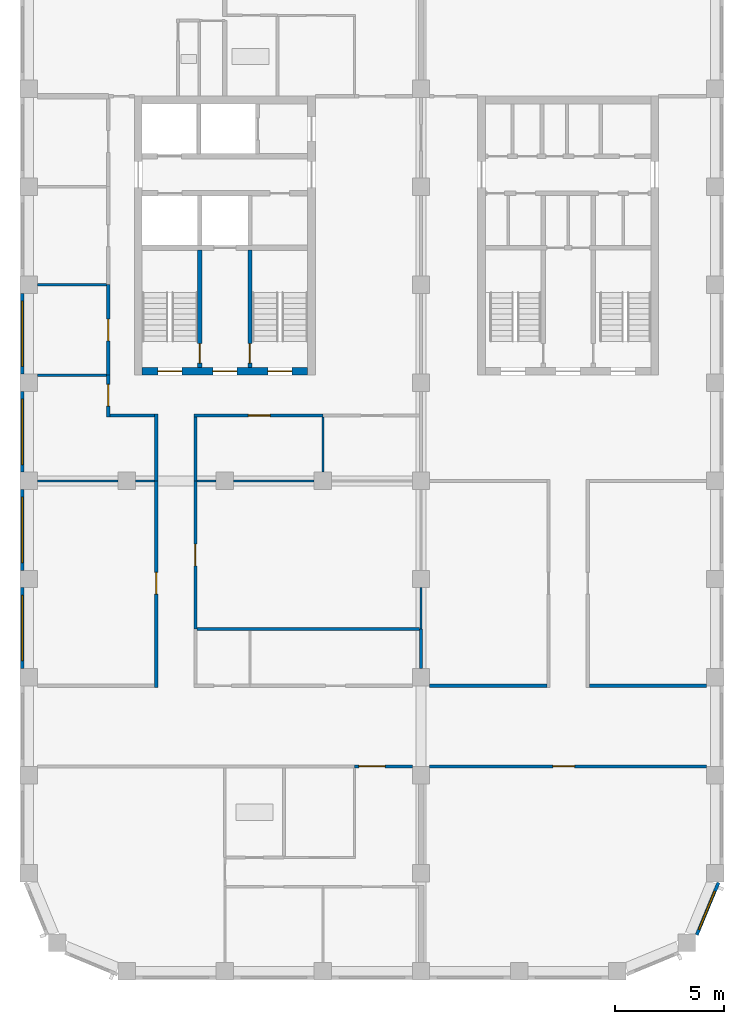
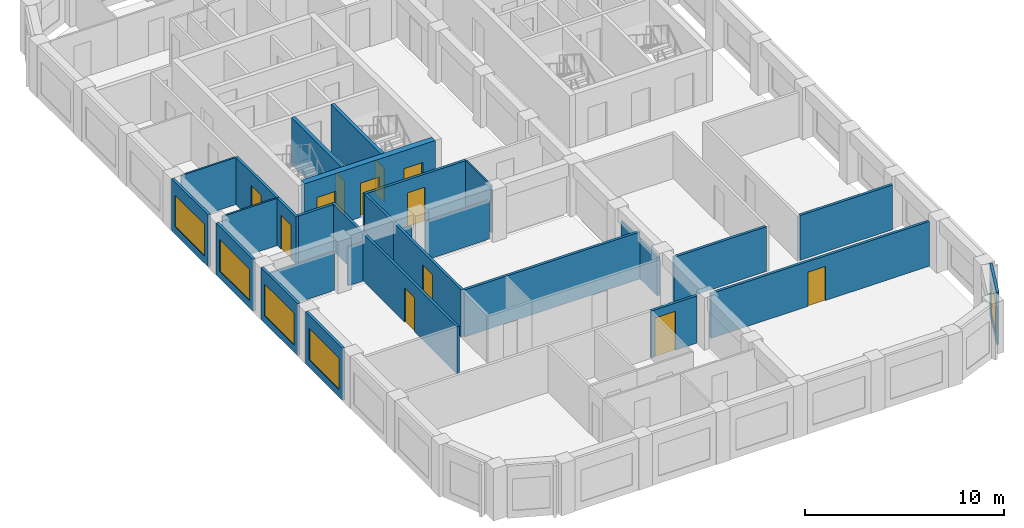
# One storey, part 3 of 9: 30 walls, 12 doors, 5 windows, 17 openings.
"""IFC4 building model written with IfcOpenShell, lengths in metres."""

from ifc_helpers import new_model, si_unit, direction, frame, frame_2d, origin, place, context, subcontext, project, spatial, rectangle, extrude, material, layer, layer_set, type_object, element, fill, save


model = new_model("IFC4")

# Units and contexts
model_context = context("Model", 3, precision=1e-05, world=origin(), true_north=direction((0.0, 1.0)))
body_context = subcontext(model_context, "Body", "Model", "MODEL_VIEW")
ifc_project = project(units=[si_unit("LENGTHUNIT", "METRE"), si_unit("AREAUNIT", "SQUARE_METRE"), si_unit("VOLUMEUNIT", "CUBIC_METRE"), si_unit("PLANEANGLEUNIT", "RADIAN"), si_unit("MASSUNIT", "GRAM", prefix="KILO")], contexts=[model_context])

# Site, building, storey
site_placement = place(None, origin())
site = spatial("IfcSite", under=ifc_project, at=site_placement, CompositionType="ELEMENT")
building_placement = place(site_placement, origin())
building = spatial("IfcBuilding", under=site, at=building_placement, Name="Girih Gate Residences", CompositionType="ELEMENT")
storey_placement = place(building_placement, frame((0.0, 0.0, 222.89501953125)))
storey = spatial("IfcBuildingStorey", under=building, at=storey_placement, Name="L62", CompositionType="ELEMENT", Elevation=222.89501953125)

# Wall, opening, door
ifc_material_1 = material(Name="Gypsum board on steel studs", Category="steel")
ifc_layer_1 = layer(ifc_material_1, 0.14990234375)
ifc_layer_set_1 = layer_set([ifc_layer_1], Name="Compartment wall 150 mm")
wall_type_1 = type_object("IfcWallType", Name="Compartment wall 150 mm", PredefinedType="PARTITIONING", material=ifc_layer_set_1)
wall_1_placement = place(storey_placement, frame((17.60009765625, 9.39990234375, 0.0), z_axis=(0.0, 0.0, 1.0), x_axis=(-1.0, 0.0, 0.0)))
wall_1 = element("IfcWall", 1, at=wall_1_placement, inside=storey, type_object=wall_type_1, Name="L62 partition", PredefinedType="PARTITIONING", context=body_context, shape_type="SweptSolid", body=[
    extrude(rectangle(XDim=2.650146484375, YDim=0.14990234375, at=frame_2d((1.3251953125, 0.0))), origin(), (0.0, 0.0, 1.0), 2.89990234375),
])
opening_1_placement = place(wall_1_placement, frame((1.25, 0.0, 0.0)))
opening_1 = element("IfcOpeningElement", 2, at=opening_1_placement, cuts=wall_1, Name="Opening A62-006", PredefinedType="OPENING", context=body_context, shape_type="SweptSolid", body=[
    extrude(rectangle(XDim=1.199951171875, YDim=2.39990234375, at=frame_2d((0.60009765625, 1.199951171875))), frame((0.0, 0.0849609375, 0.0), z_axis=(0.0, -1.0, 0.0), x_axis=(1.0, 0.0, 0.0)), (0.0, 0.0, 1.0), 0.169921875),
])
ifc_material_2 = material(Name="Timber, fire-rated core", Category="wood")
door_type_1 = type_object("IfcDoorType", Name="Villa entrance door 1200x2400 FD30S", OperationType="NOTDEFINED", PredefinedType="DOOR", material=ifc_material_2)
door_1_placement = place(opening_1_placement, origin())
door_1 = element("IfcDoor", 3, at=door_1_placement, inside=storey, type_object=door_type_1, Name="Door A62-006", OperationType="SINGLE_SWING_RIGHT", OverallHeight=2.39990234375, OverallWidth=1.199951171875, PredefinedType="DOOR", context=body_context, shape_type="SweptSolid", body=[
    extrude(rectangle(XDim=1.199951171875, YDim=2.39990234375, at=frame_2d((0.60009765625, 1.199951171875))), frame((0.0, 0.02490234375, 0.0), z_axis=(0.0, -1.0, 0.0), x_axis=(1.0, 0.0, 0.0)), (0.0, 0.0, 1.0), 0.050048828125),
])
fill(opening_1, door_1)

wall_2_placement = place(storey_placement, frame((7.64990234375, 22.5, 0.0), z_axis=(0.0, 0.0, 1.0), x_axis=(0.0, -1.0, 0.0)))
wall_2 = element("IfcWall", 4, at=wall_2_placement, inside=storey, type_object=wall_type_1, Name="L62 partition", PredefinedType="PARTITIONING", context=body_context, shape_type="SweptSolid", body=[
    extrude(rectangle(XDim=6.800048828125, YDim=0.14990234375, at=frame_2d((3.39990234375, 0.0))), origin(), (0.0, 0.0, 1.0), 2.89990234375),
])
opening_2_placement = place(wall_2_placement, frame((2.89990234375, 0.0, 0.0)))
opening_2 = element("IfcOpeningElement", 5, at=opening_2_placement, cuts=wall_2, Name="Opening A62-017", PredefinedType="OPENING", context=body_context, shape_type="SweptSolid", body=[
    extrude(rectangle(XDim=1.0, YDim=2.10009765625, at=frame_2d((0.5, 1.050048828125))), frame((0.0, 0.0849609375, 0.0), z_axis=(0.0, -1.0, 0.0), x_axis=(1.0, 0.0, 0.0)), (0.0, 0.0, 1.0), 0.169921875),
])
door_type_2 = type_object("IfcDoorType", Name="Amenity room door 1000x2100 FD30S", OperationType="NOTDEFINED", PredefinedType="DOOR", material=ifc_material_2)
door_2_placement = place(opening_2_placement, origin())
door_2 = element("IfcDoor", 6, at=door_2_placement, inside=storey, type_object=door_type_2, Name="Door A62-017", OperationType="SINGLE_SWING_LEFT", OverallHeight=2.10009765625, OverallWidth=1.0, PredefinedType="DOOR", context=body_context, shape_type="SweptSolid", body=[
    extrude(rectangle(XDim=1.0, YDim=2.10009765625, at=frame_2d((0.5, 1.050048828125))), frame((0.0, 0.02490234375, 0.0), z_axis=(0.0, -1.0, 0.0), x_axis=(1.0, 0.0, 0.0)), (0.0, 0.0, 1.0), 0.050048828125),
])
fill(opening_2, door_2)

# Wall
wall_3_placement = place(storey_placement, frame((7.72509765625, 15.699951171875, 0.0), z_axis=(0.0, 0.0, 1.0), x_axis=(1.0, 0.0, 0.0)))
element("IfcWall", 7, at=wall_3_placement, inside=storey, type_object=wall_type_1, Name="L62 partition", PredefinedType="PARTITIONING", context=body_context, shape_type="SweptSolid", body=[
    extrude(rectangle(XDim=10.199951171875, YDim=0.14990234375, at=frame_2d((5.10009765625, 0.0))), origin(), (0.0, 0.0, 1.0), 2.89990234375),
])

# Wall, opening, door
wall_4_placement = place(storey_placement, frame((31.10009765625, 9.39990234375, 0.0), z_axis=(0.0, 0.0, 1.0), x_axis=(-1.0, 0.0, 0.0)))
wall_4 = element("IfcWall", 8, at=wall_4_placement, inside=storey, type_object=wall_type_1, Name="L62 partition", PredefinedType="PARTITIONING", context=body_context, shape_type="SweptSolid", body=[
    extrude(rectangle(XDim=12.7001953125, YDim=0.14990234375, at=frame_2d((6.35009765625, 0.0))), origin(), (0.0, 0.0, 1.0), 2.75),
])
opening_3_placement = place(wall_4_placement, frame((6.050048828125, 0.0, 0.0)))
opening_3 = element("IfcOpeningElement", 9, at=opening_3_placement, cuts=wall_4, Name="Opening A62-020", PredefinedType="OPENING", context=body_context, shape_type="SweptSolid", body=[
    extrude(rectangle(XDim=1.0, YDim=2.10009765625, at=frame_2d((0.5, 1.050048828125))), frame((0.0, 0.0849609375, 0.0), z_axis=(0.0, -1.0, 0.0), x_axis=(1.0, 0.0, 0.0)), (0.0, 0.0, 1.0), 0.169921875),
])
door_3_placement = place(opening_3_placement, origin())
door_3 = element("IfcDoor", 10, at=door_3_placement, inside=storey, type_object=door_type_2, Name="Door A62-020", OperationType="SINGLE_SWING_RIGHT", OverallHeight=2.10009765625, OverallWidth=1.0, PredefinedType="DOOR", context=body_context, shape_type="SweptSolid", body=[
    extrude(rectangle(XDim=1.0, YDim=2.10009765625, at=frame_2d((0.5, 1.050048828125))), frame((0.0, 0.02490234375, 0.0), z_axis=(0.0, -1.0, 0.0), x_axis=(1.0, 0.0, 0.0)), (0.0, 0.0, 1.0), 0.050048828125),
])
fill(opening_3, door_3)

# Walls
for number, where, z_axis, x_axis, name in (
    (11, (18.39990234375, 13.10009765625, 0.0), (0.0, 0.0, 1.0), (1.0, 0.0, 0.0), "L62 partition"),
    (12, (25.72509765625, 13.10009765625, 0.0), (0.0, 0.0, 1.0), (1.0, 0.0, 0.0), "L62 partition"),
):
    element("IfcWall", number, at=place(storey_placement, frame(where, z_axis=z_axis, x_axis=x_axis)), inside=storey, type_object=wall_type_1, Name=name, PredefinedType="PARTITIONING", context=body_context, shape_type="SweptSolid", body=[
        extrude(rectangle(XDim=5.375, YDim=0.14990234375, at=frame_2d((2.6875, 0.0))), origin(), (0.0, 0.0, 1.0), 2.75),
    ])
wall_5_placement = place(storey_placement, frame((18.0, 13.89990234375, 0.0), z_axis=(0.0, 0.0, 1.0), x_axis=(0.0, 1.0, 0.0)))
element("IfcWall", 13, at=wall_5_placement, inside=storey, type_object=wall_type_1, Name="L62 partition", PredefinedType="PARTITIONING", context=body_context, shape_type="SweptSolid", body=[
    extrude(rectangle(XDim=1.800048828125, YDim=0.14990234375, at=frame_2d((0.89990234375, 0.0))), origin(), (0.0, 0.0, 1.0), 2.3798828125),
])
wall_6_placement = place(storey_placement, frame((5.85009765625, 22.5, 0.0), z_axis=(0.0, 0.0, 1.0), x_axis=(0.0, 1.0, 0.0)))
element("IfcWall", 14, at=wall_6_placement, inside=storey, type_object=wall_type_1, Name="L62 partition", PredefinedType="PARTITIONING", context=body_context, shape_type="SweptSolid", body=[
    extrude(rectangle(XDim=3.074951171875, YDim=0.14990234375, at=frame_2d((1.53759765625, 0.0))), origin(), (0.0, 0.0, 1.0), 2.89990234375),
])
wall_7_placement = place(storey_placement, frame((3.72509765625, 25.5, 0.0), z_axis=(0.0, 0.0, 1.0), x_axis=(1.0, 0.0, 0.0)))
element("IfcWall", 15, at=wall_7_placement, inside=storey, type_object=wall_type_1, Name="L62 partition", PredefinedType="PARTITIONING", context=body_context, shape_type="SweptSolid", body=[
    extrude(rectangle(XDim=2.0498046875, YDim=0.14990234375, at=frame_2d((1.02490234375, 0.0))), origin(), (0.0, 0.0, 1.0), 2.89990234375),
])

# Wall, opening, door
wall_8_placement = place(storey_placement, frame((3.64990234375, 25.425048828125, 0.0), z_axis=(0.0, 0.0, 1.0), x_axis=(0.0, 1.0, 0.0)))
wall_8 = element("IfcWall", 16, at=wall_8_placement, inside=storey, type_object=wall_type_1, Name="L62 partition", PredefinedType="PARTITIONING", context=body_context, shape_type="SweptSolid", body=[
    extrude(rectangle(XDim=1.925048828125, YDim=0.14990234375, at=frame_2d((0.96240234375, 0.0))), origin(), (0.0, 0.0, 1.0), 2.89990234375),
])
opening_4_placement = place(wall_8_placement, frame((0.5, 0.0, 0.0)))
opening_4 = element("IfcOpeningElement", 17, at=opening_4_placement, cuts=wall_8, Name="Opening A62-025", PredefinedType="OPENING", context=body_context, shape_type="SweptSolid", body=[
    extrude(rectangle(XDim=1.0, YDim=2.10009765625, at=frame_2d((0.5, 1.050048828125))), frame((0.0, 0.0849609375, 0.0), z_axis=(0.0, -1.0, 0.0), x_axis=(1.0, 0.0, 0.0)), (0.0, 0.0, 1.0), 0.169921875),
])
door_4_placement = place(opening_4_placement, origin())
door_4 = element("IfcDoor", 18, at=door_4_placement, inside=storey, type_object=door_type_2, Name="Door A62-025", OperationType="SINGLE_SWING_RIGHT", OverallHeight=2.10009765625, OverallWidth=1.0, PredefinedType="DOOR", context=body_context, shape_type="SweptSolid", body=[
    extrude(rectangle(XDim=1.0, YDim=2.10009765625, at=frame_2d((0.5, 1.050048828125))), frame((0.0, 0.02490234375, 0.0), z_axis=(0.0, -1.0, 0.0), x_axis=(1.0, 0.0, 0.0)), (0.0, 0.0, 1.0), 0.050048828125),
])
fill(opening_4, door_4)

wall_9_placement = place(storey_placement, frame((13.5, 25.5, 0.0), z_axis=(0.0, 0.0, 1.0), x_axis=(-1.0, 0.0, 0.0)))
wall_9 = element("IfcWall", 19, at=wall_9_placement, inside=storey, type_object=wall_type_1, Name="L62 partition", PredefinedType="PARTITIONING", context=body_context, shape_type="SweptSolid", body=[
    extrude(rectangle(XDim=5.925048828125, YDim=0.14990234375, at=frame_2d((2.96240234375, 0.0))), origin(), (0.0, 0.0, 1.0), 2.89990234375),
])
opening_5_placement = place(wall_9_placement, frame((2.425048828125, 0.0, 0.0)))
opening_5 = element("IfcOpeningElement", 20, at=opening_5_placement, cuts=wall_9, Name="Opening A62-026", PredefinedType="OPENING", context=body_context, shape_type="SweptSolid", body=[
    extrude(rectangle(XDim=1.0, YDim=2.10009765625, at=frame_2d((0.5, 1.050048828125))), frame((0.0, 0.0849609375, 0.0), z_axis=(0.0, -1.0, 0.0), x_axis=(1.0, 0.0, 0.0)), (0.0, 0.0, 1.0), 0.169921875),
])
door_5_placement = place(opening_5_placement, origin())
door_5 = element("IfcDoor", 21, at=door_5_placement, inside=storey, type_object=door_type_2, Name="Door A62-026", OperationType="SINGLE_SWING_LEFT", OverallHeight=2.10009765625, OverallWidth=1.0, PredefinedType="DOOR", context=body_context, shape_type="SweptSolid", body=[
    extrude(rectangle(XDim=1.0, YDim=2.10009765625, at=frame_2d((0.5, 1.050048828125))), frame((0.0, 0.02490234375, 0.0), z_axis=(0.0, -1.0, 0.0), x_axis=(1.0, 0.0, 0.0)), (0.0, 0.0, 1.0), 0.050048828125),
])
fill(opening_5, door_5)

# Wall
wall_10_placement = place(storey_placement, frame((7.64990234375, 22.5, 0.0), z_axis=(0.0, 0.0, 1.0), x_axis=(0.0, 1.0, 0.0)))
element("IfcWall", 22, at=wall_10_placement, inside=storey, type_object=wall_type_1, Name="L62 partition", PredefinedType="PARTITIONING", context=body_context, shape_type="SweptSolid", body=[
    extrude(rectangle(XDim=2.925048828125, YDim=0.14990234375, at=frame_2d((1.46240234375, 0.0))), origin(), (0.0, 0.0, 1.0), 2.89990234375),
])

# Wall, opening, door
wall_11_placement = place(storey_placement, frame((3.64990234375, 27.35009765625, 0.0), z_axis=(0.0, 0.0, 1.0), x_axis=(0.0, 1.0, 0.0)))
wall_11 = element("IfcWall", 23, at=wall_11_placement, inside=storey, type_object=wall_type_1, Name="L62 partition", PredefinedType="PARTITIONING", context=body_context, shape_type="SweptSolid", body=[
    extrude(rectangle(XDim=4.14990234375, YDim=0.14990234375, at=frame_2d((2.074951171875, 0.0))), origin(), (0.0, 0.0, 1.0), 2.89990234375),
])
opening_6_placement = place(wall_11_placement, frame((1.574951171875, 0.0, 0.0)))
opening_6 = element("IfcOpeningElement", 24, at=opening_6_placement, cuts=wall_11, Name="Opening A62-028", PredefinedType="OPENING", context=body_context, shape_type="SweptSolid", body=[
    extrude(rectangle(XDim=1.0, YDim=2.10009765625, at=frame_2d((0.5, 1.050048828125))), frame((0.0, 0.0849609375, 0.0), z_axis=(0.0, -1.0, 0.0), x_axis=(1.0, 0.0, 0.0)), (0.0, 0.0, 1.0), 0.169921875),
])
door_6_placement = place(opening_6_placement, origin())
door_6 = element("IfcDoor", 25, at=door_6_placement, inside=storey, type_object=door_type_2, Name="Door A62-028", OperationType="SINGLE_SWING_RIGHT", OverallHeight=2.10009765625, OverallWidth=1.0, PredefinedType="DOOR", context=body_context, shape_type="SweptSolid", body=[
    extrude(rectangle(XDim=1.0, YDim=2.10009765625, at=frame_2d((0.5, 1.050048828125))), frame((0.0, 0.02490234375, 0.0), z_axis=(0.0, -1.0, 0.0), x_axis=(1.0, 0.0, 0.0)), (0.0, 0.0, 1.0), 0.050048828125),
])
fill(opening_6, door_6)

wall_12_placement = place(storey_placement, frame((5.85009765625, 13.02490234375, 0.0), z_axis=(0.0, 0.0, 1.0), x_axis=(0.0, 1.0, 0.0)))
wall_12 = element("IfcWall", 26, at=wall_12_placement, inside=storey, type_object=wall_type_1, Name="L62 partition", PredefinedType="PARTITIONING", context=body_context, shape_type="SweptSolid", body=[
    extrude(rectangle(XDim=9.47509765625, YDim=0.14990234375, at=frame_2d((4.737548828125, 0.0))), origin(), (0.0, 0.0, 1.0), 2.89990234375),
])
opening_7_placement = place(wall_12_placement, frame((4.27490234375, 0.0, 0.0)))
opening_7 = element("IfcOpeningElement", 27, at=opening_7_placement, cuts=wall_12, Name="Opening A62-031", PredefinedType="OPENING", context=body_context, shape_type="SweptSolid", body=[
    extrude(rectangle(XDim=1.0, YDim=2.10009765625, at=frame_2d((0.5, 1.050048828125))), frame((0.0, 0.0849609375, 0.0), z_axis=(0.0, -1.0, 0.0), x_axis=(1.0, 0.0, 0.0)), (0.0, 0.0, 1.0), 0.169921875),
])
door_7_placement = place(opening_7_placement, origin())
door_7 = element("IfcDoor", 28, at=door_7_placement, inside=storey, type_object=door_type_2, Name="Door A62-031", OperationType="SINGLE_SWING_RIGHT", OverallHeight=2.10009765625, OverallWidth=1.0, PredefinedType="DOOR", context=body_context, shape_type="SweptSolid", body=[
    extrude(rectangle(XDim=1.0, YDim=2.10009765625, at=frame_2d((0.5, 1.050048828125))), frame((0.0, 0.02490234375, 0.0), z_axis=(0.0, -1.0, 0.0), x_axis=(1.0, 0.0, 0.0)), (0.0, 0.0, 1.0), 0.050048828125),
])
fill(opening_7, door_7)

# Wall, openings, doors
ifc_material_3 = material(Name="Concrete C60/75", Category="concrete")
ifc_layer_2 = layer(ifc_material_3, 0.35009765625)
ifc_layer_set_2 = layer_set([ifc_layer_2], Name="Core wall RC 350 Concrete C60/75")
wall_type_2 = type_object("IfcWallType", Name="Core wall RC 350 Concrete C60/75", PredefinedType="SOLIDWALL", material=ifc_layer_set_2)
wall_13_placement = place(storey_placement, frame((5.199951171875, 27.52490234375, 0.0), z_axis=(0.0, 0.0, 1.0), x_axis=(1.0, 0.0, 0.0)))
wall_13 = element("IfcWall", 29, at=wall_13_placement, inside=storey, type_object=wall_type_2, Name="Core wall W-S L62", PredefinedType="SOLIDWALL", context=body_context, shape_type="SweptSolid", body=[
    extrude(rectangle(XDim=7.60009765625, YDim=0.35009765625, at=frame_2d((3.800048828125, 0.0))), origin(), (0.0, 0.0, 1.0), 3.199951171875),
])
opening_8_placement = place(wall_13_placement, frame((0.72509765625, 0.0, 0.0)))
opening_8 = element("IfcOpeningElement", 30, at=opening_8_placement, cuts=wall_13, Name="Opening D-L62-W-008", PredefinedType="OPENING", context=body_context, shape_type="SweptSolid", body=[
    extrude(rectangle(XDim=1.10009765625, YDim=2.10009765625, at=frame_2d((0.550048828125, 1.050048828125))), frame((0.0, 0.18505859375, 0.0), z_axis=(0.0, -1.0, 0.0), x_axis=(1.0, 0.0, 0.0)), (0.0, 0.0, 1.0), 0.3701171875),
])
opening_9_placement = place(wall_13_placement, frame((3.25, 0.0, 0.0)))
opening_9 = element("IfcOpeningElement", 31, at=opening_9_placement, cuts=wall_13, Name="Opening D-L62-W-009", PredefinedType="OPENING", context=body_context, shape_type="SweptSolid", body=[
    extrude(rectangle(XDim=1.10009765625, YDim=2.10009765625, at=frame_2d((0.550048828125, 1.050048828125))), frame((0.0, 0.18505859375, 0.0), z_axis=(0.0, -1.0, 0.0), x_axis=(1.0, 0.0, 0.0)), (0.0, 0.0, 1.0), 0.3701171875),
])
opening_10_placement = place(wall_13_placement, frame((5.77490234375, 0.0, 0.0)))
opening_10 = element("IfcOpeningElement", 32, at=opening_10_placement, cuts=wall_13, Name="Opening D-L62-W-010", PredefinedType="OPENING", context=body_context, shape_type="SweptSolid", body=[
    extrude(rectangle(XDim=1.10009765625, YDim=2.10009765625, at=frame_2d((0.550048828125, 1.050048828125))), frame((0.0, 0.18505859375, 0.0), z_axis=(0.0, -1.0, 0.0), x_axis=(1.0, 0.0, 0.0)), (0.0, 0.0, 1.0), 0.3701171875),
])
ifc_material_4 = material(Name="Painted steel, fire-resisting", Category="steel")
door_type_3 = type_object("IfcDoorType", Name="Fire door 1100x2100", OperationType="SINGLE_SWING_LEFT", PredefinedType="DOOR", material=ifc_material_4)
door_8_placement = place(opening_8_placement, origin())
door_8 = element("IfcDoor", 33, at=door_8_placement, inside=storey, type_object=door_type_3, Name="L62 W core door sta-out", OperationType="SINGLE_SWING_LEFT", OverallHeight=2.10009765625, OverallWidth=1.10009765625, PredefinedType="DOOR", context=body_context, shape_type="SweptSolid", body=[
    extrude(rectangle(XDim=1.10009765625, YDim=2.10009765625, at=frame_2d((0.550048828125, 1.050048828125))), frame((0.0, 0.02490234375, 0.0), z_axis=(0.0, -1.0, 0.0), x_axis=(1.0, 0.0, 0.0)), (0.0, 0.0, 1.0), 0.050048828125),
])
fill(opening_8, door_8)
door_9_placement = place(opening_9_placement, origin())
door_9 = element("IfcDoor", 34, at=door_9_placement, inside=storey, type_object=door_type_3, Name="L62 W core door ffl-out", OperationType="SINGLE_SWING_LEFT", OverallHeight=2.10009765625, OverallWidth=1.10009765625, PredefinedType="DOOR", context=body_context, shape_type="SweptSolid", body=[
    extrude(rectangle(XDim=1.10009765625, YDim=2.10009765625, at=frame_2d((0.550048828125, 1.050048828125))), frame((0.0, 0.02490234375, 0.0), z_axis=(0.0, -1.0, 0.0), x_axis=(1.0, 0.0, 0.0)), (0.0, 0.0, 1.0), 0.050048828125),
])
fill(opening_9, door_9)
door_10_placement = place(opening_10_placement, origin())
door_10 = element("IfcDoor", 35, at=door_10_placement, inside=storey, type_object=door_type_3, Name="L62 W core door stb-out", OperationType="SINGLE_SWING_LEFT", OverallHeight=2.10009765625, OverallWidth=1.10009765625, PredefinedType="DOOR", context=body_context, shape_type="SweptSolid", body=[
    extrude(rectangle(XDim=1.10009765625, YDim=2.10009765625, at=frame_2d((0.550048828125, 1.050048828125))), frame((0.0, 0.02490234375, 0.0), z_axis=(0.0, -1.0, 0.0), x_axis=(1.0, 0.0, 0.0)), (0.0, 0.0, 1.0), 0.050048828125),
])
fill(opening_10, door_10)

# Walls
ifc_layer_3 = layer(ifc_material_1, 0.10009765625)
ifc_layer_set_3 = layer_set([ifc_layer_3], Name="Partition 100 mm")
wall_type_3 = type_object("IfcWallType", Name="Partition 100 mm", PredefinedType="PARTITIONING", material=ifc_layer_set_3)
wall_14_placement = place(storey_placement, frame((18.0, 15.699951171875, 0.0), z_axis=(0.0, 0.0, 1.0), x_axis=(0.0, 1.0, 0.0)))
element("IfcWall", 36, at=wall_14_placement, inside=storey, type_object=wall_type_3, Name="L62 partition", PredefinedType="PARTITIONING", context=body_context, shape_type="SweptSolid", body=[
    extrude(rectangle(XDim=1.900146484375, YDim=0.10009765625, at=frame_2d((0.9501953125, 0.0))), origin(), (0.0, 0.0, 1.0), 2.3798828125),
])
wall_15_placement = place(storey_placement, frame((7.72509765625, 22.5, 0.0), z_axis=(0.0, 0.0, 1.0), x_axis=(1.0, 0.0, 0.0)))
element("IfcWall", 37, at=wall_15_placement, inside=storey, type_object=wall_type_3, Name="L62 partition", PredefinedType="PARTITIONING", context=body_context, shape_type="SweptSolid", body=[
    extrude(rectangle(XDim=0.875, YDim=0.10009765625, at=frame_2d((0.4375, 0.0))), origin(), (0.0, 0.0, 1.0), 2.3798828125),
])
wall_16_placement = place(storey_placement, frame((9.39990234375, 22.5, 0.0), z_axis=(0.0, 0.0, 1.0), x_axis=(1.0, 0.0, 0.0)))
element("IfcWall", 38, at=wall_16_placement, inside=storey, type_object=wall_type_3, Name="L62 partition", PredefinedType="PARTITIONING", context=body_context, shape_type="SweptSolid", body=[
    extrude(rectangle(XDim=3.7001953125, YDim=0.10009765625, at=frame_2d((1.85009765625, 0.0))), origin(), (0.0, 0.0, 1.0), 2.3798828125),
])
wall_17_placement = place(storey_placement, frame((0.39990234375, 27.35009765625, 0.0), z_axis=(0.0, 0.0, 1.0), x_axis=(1.0, 0.0, 0.0)))
element("IfcWall", 39, at=wall_17_placement, inside=storey, type_object=wall_type_3, Name="L62 partition", PredefinedType="PARTITIONING", context=body_context, shape_type="SweptSolid", body=[
    extrude(rectangle(XDim=3.175048828125, YDim=0.10009765625, at=frame_2d((1.58740234375, 0.0))), origin(), (0.0, 0.0, 1.0), 2.89990234375),
])
wall_18_placement = place(storey_placement, frame((4.89990234375, 22.5, 0.0), z_axis=(0.0, 0.0, 1.0), x_axis=(1.0, 0.0, 0.0)))
element("IfcWall", 40, at=wall_18_placement, inside=storey, type_object=wall_type_3, Name="L62 partition", PredefinedType="PARTITIONING", context=body_context, shape_type="SweptSolid", body=[
    extrude(rectangle(XDim=0.875, YDim=0.10009765625, at=frame_2d((0.4375, 0.0))), origin(), (0.0, 0.0, 1.0), 2.3798828125),
])
wall_19_placement = place(storey_placement, frame((0.39990234375, 22.5, 0.0), z_axis=(0.0, 0.0, 1.0), x_axis=(1.0, 0.0, 0.0)))
element("IfcWall", 41, at=wall_19_placement, inside=storey, type_object=wall_type_3, Name="L62 partition", PredefinedType="PARTITIONING", context=body_context, shape_type="SweptSolid", body=[
    extrude(rectangle(XDim=3.7001953125, YDim=0.10009765625, at=frame_2d((1.85009765625, 0.0))), origin(), (0.0, 0.0, 1.0), 2.3798828125),
])
wall_20_placement = place(storey_placement, frame((13.5, 22.89990234375, 0.0), z_axis=(0.0, 0.0, 1.0), x_axis=(0.0, 1.0, 0.0)))
element("IfcWall", 42, at=wall_20_placement, inside=storey, type_object=wall_type_3, Name="L62 partition", PredefinedType="PARTITIONING", context=body_context, shape_type="SweptSolid", body=[
    extrude(rectangle(XDim=2.525146484375, YDim=0.10009765625, at=frame_2d((1.2626953125, 0.0))), origin(), (0.0, 0.0, 1.0), 2.89990234375),
])
wall_21_placement = place(storey_placement, frame((0.39990234375, 31.5, 0.0), z_axis=(0.0, 0.0, 1.0), x_axis=(1.0, 0.0, 0.0)))
element("IfcWall", 43, at=wall_21_placement, inside=storey, type_object=wall_type_3, Name="L62 partition", PredefinedType="PARTITIONING", context=body_context, shape_type="SweptSolid", body=[
    extrude(rectangle(XDim=3.175048828125, YDim=0.10009765625, at=frame_2d((1.58740234375, 0.0))), origin(), (0.0, 0.0, 1.0), 2.89990234375),
])

# Wall, opening, window
ifc_material_5 = material(Name="Precast concrete C50/60", Category="concrete")
ifc_layer_4 = layer(ifc_material_5, 0.050048828125, Name="Outer leaf")
ifc_material_6 = material(Name="Rigid PIR insulation")
ifc_layer_5 = layer(ifc_material_6, 0.06005859375, Name="Insulation")
ifc_material_7 = material(Name="Precast concrete C40/50", Category="concrete")
ifc_layer_6 = layer(ifc_material_7, 0.0400390625, Name="Inner leaf")
ifc_layer_set_4 = layer_set([ifc_layer_4, ifc_layer_5, ifc_layer_6], Name="Precast concrete C50/60 external wall 150")
wall_type_4 = type_object("IfcWallType", Name="Precast concrete C50/60 external wall 150", PredefinedType="SOLIDWALL", material=ifc_layer_set_4)
wall_22_placement = place(storey_placement, frame((31.647216796875, 4.0712890625, 0.0), z_axis=(0.0, 0.0, 1.0), x_axis=(-0.382669406082, -0.923885342263, 0.0)))
wall_22 = element("IfcWall", 44, at=wall_22_placement, inside=storey, type_object=wall_type_4, Name="External wall SE0302_0013.0", PredefinedType="SOLIDWALL", context=body_context, shape_type="SweptSolid", body=[
    extrude(rectangle(XDim=2.602294921875, YDim=0.14990234375, at=frame_2d((1.30126953125, 0.0))), origin(), (0.0, 0.0, 1.0), 3.199951171875),
])
opening_11_placement = place(wall_22_placement, frame((0.432373046875, 0.0, 0.449951171875)))
opening_11 = element("IfcOpeningElement", 45, at=opening_11_placement, cuts=wall_22, Name="Opening W-2G", PredefinedType="OPENING", context=body_context, shape_type="SweptSolid", body=[
    extrude(rectangle(XDim=1.89990234375, YDim=1.949951171875, at=frame_2d((0.949951171875, 0.97509765625))), frame((0.0, 0.0849609375, 0.0), z_axis=(0.0, -1.0, 0.0), x_axis=(1.0, 0.0, 0.0)), (0.0, 0.0, 1.0), 0.169921875),
])
ifc_material_8 = material(Name="Double glazing in aluminium frame", Category="aluminium")
window_type_1 = type_object("IfcWindowType", Name="Window W-2G 1900x1950", PartitioningType="SINGLE_PANEL", PredefinedType="WINDOW", material=ifc_material_8)
window_1_placement = place(opening_11_placement, origin())
window_1 = element("IfcWindow", 46, at=window_1_placement, inside=storey, type_object=window_type_1, Name="Window W-2G SE0302_0013.0", OverallHeight=1.949951171875, OverallWidth=1.89990234375, PartitioningType="SINGLE_PANEL", PredefinedType="WINDOW", context=body_context, shape_type="SweptSolid", body=[
    extrude(rectangle(XDim=1.89990234375, YDim=1.949951171875, at=frame_2d((0.949951171875, 0.97509765625))), frame((0.0, 0.030029296875, 0.0), z_axis=(0.0, -1.0, 0.0), x_axis=(1.0, 0.0, 0.0)), (0.0, 0.0, 1.0), 0.06005859375),
])
fill(opening_11, window_1)

wall_23_placement = place(storey_placement, frame((-0.300048828125, 27.39990234375, 0.0), z_axis=(0.0, 0.0, 1.0), x_axis=(0.0, 1.0, 0.0)))
wall_23 = element("IfcWall", 47, at=wall_23_placement, inside=storey, type_object=wall_type_4, Name="External wall W0000_0450.3", PredefinedType="SOLIDWALL", context=body_context, shape_type="SweptSolid", body=[
    extrude(rectangle(XDim=3.7001953125, YDim=0.14990234375, at=frame_2d((1.85009765625, 0.0))), origin(), (0.0, 0.0, 1.0), 3.199951171875),
])
opening_12_placement = place(wall_23_placement, frame((0.35009765625, 0.0, 0.449951171875)))
opening_12 = element("IfcOpeningElement", 48, at=opening_12_placement, cuts=wall_23, Name="Opening W-1D", PredefinedType="OPENING", context=body_context, shape_type="SweptSolid", body=[
    extrude(rectangle(XDim=3.0, YDim=1.949951171875, at=frame_2d((1.5, 0.97509765625))), frame((0.0, 0.0849609375, 0.0), z_axis=(0.0, -1.0, 0.0), x_axis=(1.0, 0.0, 0.0)), (0.0, 0.0, 1.0), 0.169921875),
])
window_type_2 = type_object("IfcWindowType", Name="Window W-1D 3000x1950", PartitioningType="SINGLE_PANEL", PredefinedType="WINDOW", material=ifc_material_8)
window_2_placement = place(opening_12_placement, origin())
window_2 = element("IfcWindow", 49, at=window_2_placement, inside=storey, type_object=window_type_2, Name="Window W-1D W0000_0450.3", OverallHeight=1.949951171875, OverallWidth=3.0, PartitioningType="SINGLE_PANEL", PredefinedType="WINDOW", context=body_context, shape_type="SweptSolid", body=[
    extrude(rectangle(XDim=3.0, YDim=1.949951171875, at=frame_2d((1.5, 0.97509765625))), frame((0.0, 0.030029296875, 0.0), z_axis=(0.0, -1.0, 0.0), x_axis=(1.0, 0.0, 0.0)), (0.0, 0.0, 1.0), 0.06005859375),
])
fill(opening_12, window_2)

wall_24_placement = place(storey_placement, frame((-0.300048828125, 22.89990234375, 0.0), z_axis=(0.0, 0.0, 1.0), x_axis=(0.0, 1.0, 0.0)))
wall_24 = element("IfcWall", 50, at=wall_24_placement, inside=storey, type_object=wall_type_4, Name="External wall W0000_0450.4", PredefinedType="SOLIDWALL", context=body_context, shape_type="SweptSolid", body=[
    extrude(rectangle(XDim=3.7001953125, YDim=0.14990234375, at=frame_2d((1.85009765625, 0.0))), origin(), (0.0, 0.0, 1.0), 3.199951171875),
])
opening_13_placement = place(wall_24_placement, frame((0.35009765625, 0.0, 0.449951171875)))
opening_13 = element("IfcOpeningElement", 51, at=opening_13_placement, cuts=wall_24, Name="Opening W-1D", PredefinedType="OPENING", context=body_context, shape_type="SweptSolid", body=[
    extrude(rectangle(XDim=3.0, YDim=1.949951171875, at=frame_2d((1.5, 0.97509765625))), frame((0.0, 0.0849609375, 0.0), z_axis=(0.0, -1.0, 0.0), x_axis=(1.0, 0.0, 0.0)), (0.0, 0.0, 1.0), 0.169921875),
])
window_3_placement = place(opening_13_placement, origin())
window_3 = element("IfcWindow", 52, at=window_3_placement, inside=storey, type_object=window_type_2, Name="Window W-1D W0000_0450.4", OverallHeight=1.949951171875, OverallWidth=3.0, PartitioningType="SINGLE_PANEL", PredefinedType="WINDOW", context=body_context, shape_type="SweptSolid", body=[
    extrude(rectangle(XDim=3.0, YDim=1.949951171875, at=frame_2d((1.5, 0.97509765625))), frame((0.0, 0.030029296875, 0.0), z_axis=(0.0, -1.0, 0.0), x_axis=(1.0, 0.0, 0.0)), (0.0, 0.0, 1.0), 0.06005859375),
])
fill(opening_13, window_3)

wall_25_placement = place(storey_placement, frame((-0.300048828125, 18.39990234375, 0.0), z_axis=(0.0, 0.0, 1.0), x_axis=(0.0, 1.0, 0.0)))
wall_25 = element("IfcWall", 53, at=wall_25_placement, inside=storey, type_object=wall_type_4, Name="External wall W0000_0450.5", PredefinedType="SOLIDWALL", context=body_context, shape_type="SweptSolid", body=[
    extrude(rectangle(XDim=3.7001953125, YDim=0.14990234375, at=frame_2d((1.85009765625, 0.0))), origin(), (0.0, 0.0, 1.0), 3.199951171875),
])
opening_14_placement = place(wall_25_placement, frame((0.35009765625, 0.0, 0.449951171875)))
opening_14 = element("IfcOpeningElement", 54, at=opening_14_placement, cuts=wall_25, Name="Opening W-1D", PredefinedType="OPENING", context=body_context, shape_type="SweptSolid", body=[
    extrude(rectangle(XDim=3.0, YDim=1.949951171875, at=frame_2d((1.5, 0.97509765625))), frame((0.0, 0.0849609375, 0.0), z_axis=(0.0, -1.0, 0.0), x_axis=(1.0, 0.0, 0.0)), (0.0, 0.0, 1.0), 0.169921875),
])
window_4_placement = place(opening_14_placement, origin())
window_4 = element("IfcWindow", 55, at=window_4_placement, inside=storey, type_object=window_type_2, Name="Window W-1D W0000_0450.5", OverallHeight=1.949951171875, OverallWidth=3.0, PartitioningType="SINGLE_PANEL", PredefinedType="WINDOW", context=body_context, shape_type="SweptSolid", body=[
    extrude(rectangle(XDim=3.0, YDim=1.949951171875, at=frame_2d((1.5, 0.97509765625))), frame((0.0, 0.030029296875, 0.0), z_axis=(0.0, -1.0, 0.0), x_axis=(1.0, 0.0, 0.0)), (0.0, 0.0, 1.0), 0.06005859375),
])
fill(opening_14, window_4)

wall_26_placement = place(storey_placement, frame((-0.300048828125, 13.89990234375, 0.0), z_axis=(0.0, 0.0, 1.0), x_axis=(0.0, 1.0, 0.0)))
wall_26 = element("IfcWall", 56, at=wall_26_placement, inside=storey, type_object=wall_type_4, Name="External wall W0000_0450.6", PredefinedType="SOLIDWALL", context=body_context, shape_type="SweptSolid", body=[
    extrude(rectangle(XDim=3.7001953125, YDim=0.14990234375, at=frame_2d((1.85009765625, 0.0))), origin(), (0.0, 0.0, 1.0), 3.199951171875),
])
opening_15_placement = place(wall_26_placement, frame((0.35009765625, 0.0, 0.449951171875)))
opening_15 = element("IfcOpeningElement", 57, at=opening_15_placement, cuts=wall_26, Name="Opening W-1D", PredefinedType="OPENING", context=body_context, shape_type="SweptSolid", body=[
    extrude(rectangle(XDim=3.0, YDim=1.949951171875, at=frame_2d((1.5, 0.97509765625))), frame((0.0, 0.0849609375, 0.0), z_axis=(0.0, -1.0, 0.0), x_axis=(1.0, 0.0, 0.0)), (0.0, 0.0, 1.0), 0.169921875),
])
window_5_placement = place(opening_15_placement, origin())
window_5 = element("IfcWindow", 58, at=window_5_placement, inside=storey, type_object=window_type_2, Name="Window W-1D W0000_0450.6", OverallHeight=1.949951171875, OverallWidth=3.0, PartitioningType="SINGLE_PANEL", PredefinedType="WINDOW", context=body_context, shape_type="SweptSolid", body=[
    extrude(rectangle(XDim=3.0, YDim=1.949951171875, at=frame_2d((1.5, 0.97509765625))), frame((0.0, 0.030029296875, 0.0), z_axis=(0.0, -1.0, 0.0), x_axis=(1.0, 0.0, 0.0)), (0.0, 0.0, 1.0), 0.06005859375),
])
fill(opening_15, window_5)

# Wall, opening, door
ifc_material_9 = material(Name="Concrete C40/50", Category="concrete")
ifc_layer_7 = layer(ifc_material_9, 0.199951171875)
ifc_layer_set_5 = layer_set([ifc_layer_7], Name="Shaft wall 200")
wall_type_5 = type_object("IfcWallType", Name="Shaft wall 200", PredefinedType="SOLIDWALL", material=ifc_layer_set_5)
wall_27_placement = place(storey_placement, frame((7.85009765625, 27.699951171875, 0.0), z_axis=(0.0, 0.0, 1.0), x_axis=(0.0, 1.0, 0.0)))
wall_27 = element("IfcWall", 59, at=wall_27_placement, inside=storey, type_object=wall_type_5, Name="L62 W core wall V1a", PredefinedType="SOLIDWALL", context=body_context, shape_type="SweptSolid", body=[
    extrude(rectangle(XDim=5.400146484375, YDim=0.199951171875, at=frame_2d((2.7001953125, 0.0))), origin(), (0.0, 0.0, 1.0), 2.89990234375),
])
opening_16_placement = place(wall_27_placement, frame((0.199951171875, 0.0, 0.0)))
opening_16 = element("IfcOpeningElement", 60, at=opening_16_placement, cuts=wall_27, Name="Opening D-L62-W-001", PredefinedType="OPENING", context=body_context, shape_type="SweptSolid", body=[
    extrude(rectangle(XDim=0.89990234375, YDim=2.10009765625, at=frame_2d((0.449951171875, 1.050048828125))), frame((0.0, 0.10986328125, 0.0), z_axis=(0.0, -1.0, 0.0), x_axis=(1.0, 0.0, 0.0)), (0.0, 0.0, 1.0), 0.219970703125),
])
door_type_4 = type_object("IfcDoorType", Name="Fire door 900x2100", OperationType="SINGLE_SWING_LEFT", PredefinedType="DOOR", material=ifc_material_4)
door_11_placement = place(opening_16_placement, origin())
door_11 = element("IfcDoor", 61, at=door_11_placement, inside=storey, type_object=door_type_4, Name="L62 W door stair 1 to firefighting lobby", OperationType="SINGLE_SWING_LEFT", OverallHeight=2.10009765625, OverallWidth=0.89990234375, PredefinedType="DOOR", context=body_context, shape_type="SweptSolid", body=[
    extrude(rectangle(XDim=0.89990234375, YDim=2.10009765625, at=frame_2d((0.449951171875, 1.050048828125))), frame((0.0, 0.02490234375, 0.0), z_axis=(0.0, -1.0, 0.0), x_axis=(1.0, 0.0, 0.0)), (0.0, 0.0, 1.0), 0.050048828125),
])
fill(opening_16, door_11)

wall_28_placement = place(storey_placement, frame((10.14990234375, 27.699951171875, 0.0), z_axis=(0.0, 0.0, 1.0), x_axis=(0.0, 1.0, 0.0)))
wall_28 = element("IfcWall", 62, at=wall_28_placement, inside=storey, type_object=wall_type_5, Name="L62 W core wall V2a", PredefinedType="SOLIDWALL", context=body_context, shape_type="SweptSolid", body=[
    extrude(rectangle(XDim=5.400146484375, YDim=0.199951171875, at=frame_2d((2.7001953125, 0.0))), origin(), (0.0, 0.0, 1.0), 2.89990234375),
])
opening_17_placement = place(wall_28_placement, frame((0.199951171875, 0.0, 0.0)))
opening_17 = element("IfcOpeningElement", 63, at=opening_17_placement, cuts=wall_28, Name="Opening D-L62-W-002", PredefinedType="OPENING", context=body_context, shape_type="SweptSolid", body=[
    extrude(rectangle(XDim=0.89990234375, YDim=2.10009765625, at=frame_2d((0.449951171875, 1.050048828125))), frame((0.0, 0.10986328125, 0.0), z_axis=(0.0, -1.0, 0.0), x_axis=(1.0, 0.0, 0.0)), (0.0, 0.0, 1.0), 0.219970703125),
])
door_12_placement = place(opening_17_placement, origin())
door_12 = element("IfcDoor", 64, at=door_12_placement, inside=storey, type_object=door_type_4, Name="L62 W door stair 2 to firefighting lobby", OperationType="SINGLE_SWING_LEFT", OverallHeight=2.10009765625, OverallWidth=0.89990234375, PredefinedType="DOOR", context=body_context, shape_type="SweptSolid", body=[
    extrude(rectangle(XDim=0.89990234375, YDim=2.10009765625, at=frame_2d((0.449951171875, 1.050048828125))), frame((0.0, 0.02490234375, 0.0), z_axis=(0.0, -1.0, 0.0), x_axis=(1.0, 0.0, 0.0)), (0.0, 0.0, 1.0), 0.050048828125),
])
fill(opening_17, door_12)

save(model, "model.ifc")
